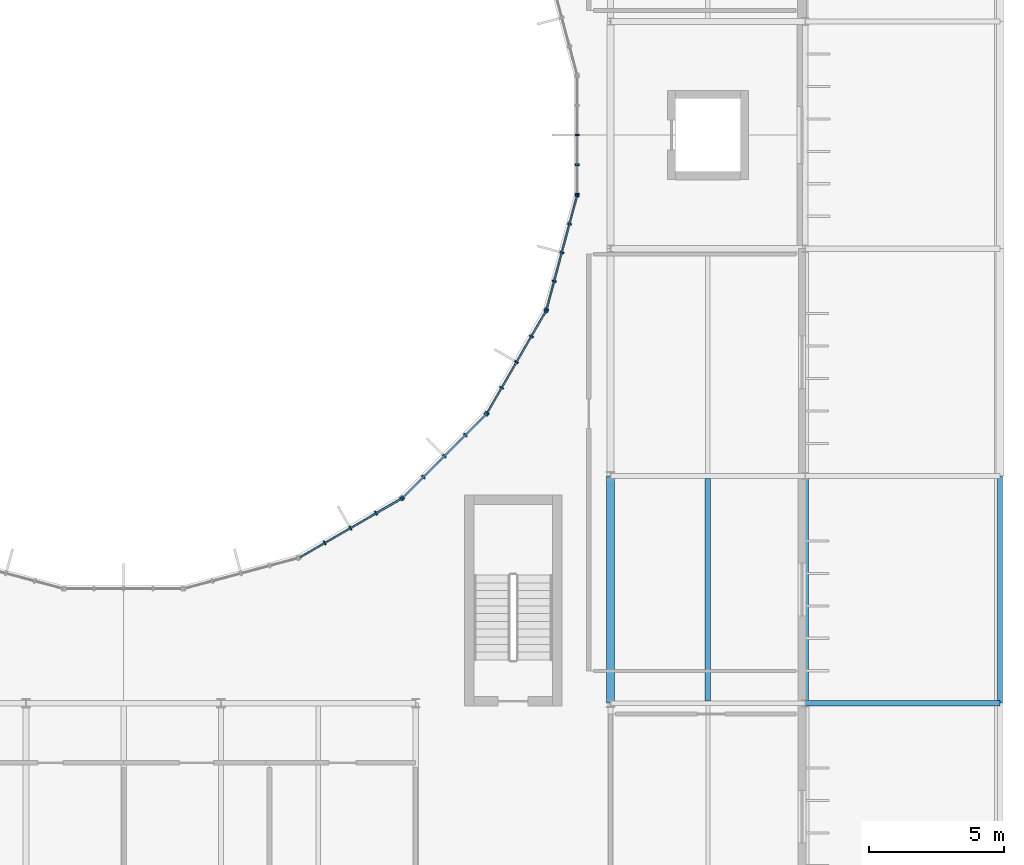
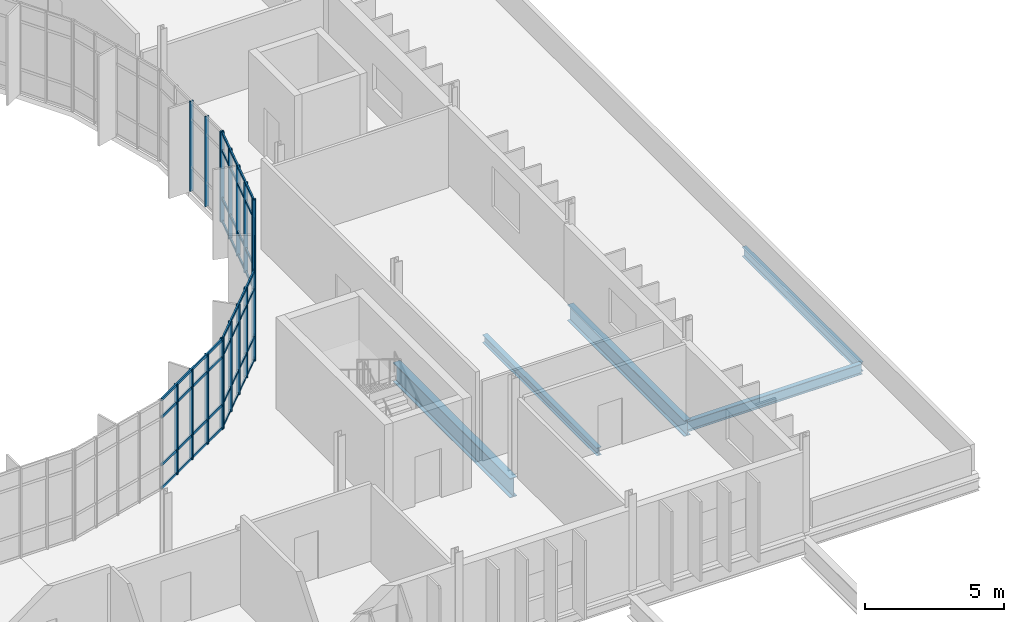
# One storey, part 53 of 99: 38 members, 5 beams, 5 elements without a shape of their own.
"""IFC4 building model written with IfcOpenShell, lengths in metres."""

from ifc_helpers import new_model, si_unit, direction, frame, origin, origin_2d, place, context, subcontext, project, spatial, rectangle, i_section, extrude, material, material_profile, profile_set, type_object, element, aggregate, save


model = new_model("IFC4")

# Units and contexts
model_context = context("Model", 3, precision=1e-05, world=origin(), true_north=direction((0.0, 1.0)))
body_context = subcontext(model_context, "Body", "Model", "MODEL_VIEW")
ifc_project = project(units=[si_unit("LENGTHUNIT", "METRE"), si_unit("AREAUNIT", "SQUARE_METRE"), si_unit("VOLUMEUNIT", "CUBIC_METRE"), si_unit("PLANEANGLEUNIT", "RADIAN"), si_unit("MASSUNIT", "GRAM", prefix="KILO")], contexts=[model_context])

# Site, building, storey
site_placement = place(None, origin())
site = spatial("IfcSite", under=ifc_project, at=site_placement, CompositionType="ELEMENT")
building_placement = place(site_placement, origin())
building = spatial("IfcBuilding", under=site, at=building_placement, Name="Qelthora Terrace Specialist Clinic", CompositionType="ELEMENT")
storey_placement = place(building_placement, frame((0.0, 0.0, 9.0)))
storey = spatial("IfcBuildingStorey", under=building, at=storey_placement, Name="L02", CompositionType="ELEMENT", Elevation=9.0)

# Beams
ifc_material_1 = material(Name="Steel S355", Category="steel")
ifc_material_profile_1 = material_profile(ifc_material_1, i_section(OverallWidth=0.178955078125, OverallDepth=0.409912109375, WebThickness=0.0087890625, FlangeThickness=0.014404296875, FilletRadius=0.011962890625, at=origin_2d()), Name="W410X67")
ifc_profile_set_1 = profile_set([ifc_material_profile_1], Name="Steel S355")
beam_type_1 = type_object("IfcBeamType", Name="BM-W410X67", PredefinedType="BEAM", material=ifc_profile_set_1)
beam_1_placement = place(storey_placement, frame((158.39990234375, 42.0, -0.455078125), z_axis=(0.0, 1.0, 0.0), x_axis=(-1.0, 0.0, 0.0)))
element("IfcBeam", 1, at=beam_1_placement, inside=storey, type_object=beam_type_1, Name="Girder BMY-L02-0910", PredefinedType="BEAM", context=body_context, shape_type="SweptSolid", body=[
    extrude(i_section(OverallWidth=0.178955078125, OverallDepth=0.409912109375, WebThickness=0.0087890625, FlangeThickness=0.014404296875, FilletRadius=0.011962890625, at=origin_2d()), origin(), (0.0, 0.0, 1.0), 8.39990234375),
])
ifc_material_profile_2 = material_profile(ifc_material_1, i_section(OverallWidth=0.256103515625, OverallDepth=0.693115234375, WebThickness=0.014404296875, FlangeThickness=0.023681640625, FilletRadius=0.01806640625, at=origin_2d()), Name="W690X170")
ifc_profile_set_2 = profile_set([ifc_material_profile_2], Name="Steel S355")
beam_type_2 = type_object("IfcBeamType", Name="BM-W690X170", PredefinedType="BEAM", material=ifc_profile_set_2)
beam_2_placement = place(storey_placement, frame((151.199951171875, 42.0, -0.596435546875), z_axis=(0.0, 1.0, 0.0), x_axis=(-1.0, 0.0, 0.0)))
element("IfcBeam", 2, at=beam_2_placement, inside=storey, type_object=beam_type_2, Name="Girder BMY-L02-0903", PredefinedType="BEAM", context=body_context, shape_type="SweptSolid", body=[
    extrude(i_section(OverallWidth=0.256103515625, OverallDepth=0.693115234375, WebThickness=0.014404296875, FlangeThickness=0.023681640625, FilletRadius=0.01806640625, at=origin_2d()), origin(), (0.0, 0.0, 1.0), 8.39990234375),
])
ifc_material_profile_3 = material_profile(ifc_material_1, i_section(OverallWidth=0.2939453125, OverallDepth=0.85107421875, WebThickness=0.01611328125, FlangeThickness=0.02685546875, FilletRadius=0.02001953125, at=origin_2d()), Name="W840X226")
ifc_profile_set_3 = profile_set([ifc_material_profile_3], Name="Steel S355")
beam_type_3 = type_object("IfcBeamType", Name="BM-W840X226", PredefinedType="BEAM", material=ifc_profile_set_3)
beam_3_placement = place(storey_placement, frame((144.0, 42.0, -0.675537109375), z_axis=(0.0, 1.0, 0.0), x_axis=(-1.0, 0.0, 0.0)))
element("IfcBeam", 3, at=beam_3_placement, inside=storey, type_object=beam_type_3, Name="Girder BMY-L02-0891", PredefinedType="BEAM", context=body_context, shape_type="SweptSolid", body=[
    extrude(i_section(OverallWidth=0.2939453125, OverallDepth=0.85107421875, WebThickness=0.01611328125, FlangeThickness=0.02685546875, FilletRadius=0.02001953125, at=origin_2d()), origin(), (0.0, 0.0, 1.0), 8.39990234375),
])

# Curtain wall, members
ifc_material_2 = material(Name="Aluminium anodized bronze", Category="aluminium")
curtain_wall_type = type_object("IfcCurtainWallType", Name="CW-CRTE-UPP", PredefinedType="NOTDEFINED", material=ifc_material_2)
curtain_wall_1_placement = place(storey_placement, origin())
curtain_wall_1 = element("IfcCurtainWall", 4, at=curtain_wall_1_placement, inside=storey, type_object=curtain_wall_type, Name="Curtain wall CW-CE-L02-20", PredefinedType="NOTDEFINED")
ifc_material_profile_4 = material_profile(ifc_material_2, rectangle(XDim=0.06005859375, YDim=0.14990234375, at=origin_2d()), Name="CWM60X150")
ifc_profile_set_4 = profile_set([ifc_material_profile_4], Name="Aluminium anodized bronze")
member_type_1 = type_object("IfcMemberType", Name="CWM-60X150", PredefinedType="MULLION", material=ifc_profile_set_4)
member_1_placement = place(storey_placement, frame((133.438720703125, 47.923095703125, 0.0), z_axis=(0.0, 0.0, 1.0), x_axis=(0.86602538709, 0.500000028915, 0.0)))
member_1 = element("IfcMember", 5, at=member_1_placement, type_object=member_type_1, Name="CW-CE-L02-20 mullion 2", PredefinedType="MULLION", context=body_context, shape_type="SweptSolid", body=[
    extrude(rectangle(XDim=0.06005859375, YDim=0.14990234375, at=origin_2d()), origin(), (0.0, 0.0, 1.0), 3.945068359375),
])
member_2_placement = place(storey_placement, frame((134.38818359375, 48.471435546875, 0.0), z_axis=(0.0, 0.0, 1.0), x_axis=(0.86602538709, 0.500000028915, 0.0)))
member_2 = element("IfcMember", 6, at=member_2_placement, type_object=member_type_1, Name="CW-CE-L02-20 mullion 3", PredefinedType="MULLION", context=body_context, shape_type="SweptSolid", body=[
    extrude(rectangle(XDim=0.06005859375, YDim=0.14990234375, at=origin_2d()), origin(), (0.0, 0.0, 1.0), 3.945068359375),
])
member_3_placement = place(storey_placement, frame((135.337646484375, 49.01953125, 0.0), z_axis=(0.0, 0.0, 1.0), x_axis=(0.86602538709, 0.500000028915, 0.0)))
member_3 = element("IfcMember", 7, at=member_3_placement, type_object=member_type_1, Name="CW-CE-L02-20 mullion 4", PredefinedType="MULLION", context=body_context, shape_type="SweptSolid", body=[
    extrude(rectangle(XDim=0.06005859375, YDim=0.14990234375, at=origin_2d()), origin(), (0.0, 0.0, 1.0), 3.945068359375),
])
member_4_placement = place(storey_placement, frame((136.269775390625, 49.557861328125, 0.0), z_axis=(0.0, 0.0, 1.0), x_axis=(0.86602538709, 0.500000028915, 0.0)))
member_4 = element("IfcMember", 8, at=member_4_placement, type_object=member_type_1, Name="CW-CE-L02-20 mullion 5", PredefinedType="MULLION", context=body_context, shape_type="SweptSolid", body=[
    extrude(rectangle(XDim=0.06005859375, YDim=0.14990234375, at=origin_2d()), origin(), (0.0, 0.0, 1.0), 3.945068359375),
])

curtain_wall_2_placement = place(storey_placement, origin())
curtain_wall_2 = element("IfcCurtainWall", 9, at=curtain_wall_2_placement, inside=storey, type_object=curtain_wall_type, Name="Curtain wall CW-CE-L02-21", PredefinedType="NOTDEFINED")
member_5_placement = place(storey_placement, frame((136.326171875, 49.600830078125, 0.0), z_axis=(0.0, 0.0, 1.0), x_axis=(0.707106781187, 0.707106781187, 0.0)))
member_5 = element("IfcMember", 10, at=member_5_placement, type_object=member_type_1, Name="CW-CE-L02-21 mullion 1", PredefinedType="MULLION", context=body_context, shape_type="SweptSolid", body=[
    extrude(rectangle(XDim=0.06005859375, YDim=0.14990234375, at=origin_2d()), origin(), (0.0, 0.0, 1.0), 3.945068359375),
])
member_6_placement = place(storey_placement, frame((137.08740234375, 50.362060546875, 0.0), z_axis=(0.0, 0.0, 1.0), x_axis=(0.707106781187, 0.707106781187, 0.0)))
member_6 = element("IfcMember", 11, at=member_6_placement, type_object=member_type_1, Name="CW-CE-L02-21 mullion 2", PredefinedType="MULLION", context=body_context, shape_type="SweptSolid", body=[
    extrude(rectangle(XDim=0.06005859375, YDim=0.14990234375, at=origin_2d()), origin(), (0.0, 0.0, 1.0), 3.945068359375),
])
member_7_placement = place(storey_placement, frame((137.862548828125, 51.137451171875, 0.0), z_axis=(0.0, 0.0, 1.0), x_axis=(0.707106781187, 0.707106781187, 0.0)))
member_7 = element("IfcMember", 12, at=member_7_placement, type_object=member_type_1, Name="CW-CE-L02-21 mullion 3", PredefinedType="MULLION", context=body_context, shape_type="SweptSolid", body=[
    extrude(rectangle(XDim=0.06005859375, YDim=0.14990234375, at=origin_2d()), origin(), (0.0, 0.0, 1.0), 3.945068359375),
])
member_8_placement = place(storey_placement, frame((138.637939453125, 51.91259765625, 0.0), z_axis=(0.0, 0.0, 1.0), x_axis=(0.707106781187, 0.707106781187, 0.0)))
member_8 = element("IfcMember", 13, at=member_8_placement, type_object=member_type_1, Name="CW-CE-L02-21 mullion 4", PredefinedType="MULLION", context=body_context, shape_type="SweptSolid", body=[
    extrude(rectangle(XDim=0.06005859375, YDim=0.14990234375, at=origin_2d()), origin(), (0.0, 0.0, 1.0), 3.945068359375),
])
member_9_placement = place(storey_placement, frame((139.399169921875, 52.673828125, 0.0), z_axis=(0.0, 0.0, 1.0), x_axis=(0.707106781187, 0.707106781187, 0.0)))
member_9 = element("IfcMember", 14, at=member_9_placement, type_object=member_type_1, Name="CW-CE-L02-21 mullion 5", PredefinedType="MULLION", context=body_context, shape_type="SweptSolid", body=[
    extrude(rectangle(XDim=0.06005859375, YDim=0.14990234375, at=origin_2d()), origin(), (0.0, 0.0, 1.0), 3.945068359375),
])

curtain_wall_3_placement = place(storey_placement, origin())
curtain_wall_3 = element("IfcCurtainWall", 15, at=curtain_wall_3_placement, inside=storey, type_object=curtain_wall_type, Name="Curtain wall CW-CE-L02-22", PredefinedType="NOTDEFINED")
member_10_placement = place(storey_placement, frame((139.442138671875, 52.730224609375, 0.0), z_axis=(0.0, 0.0, 1.0), x_axis=(0.500000028915, 0.86602538709, 0.0)))
member_10 = element("IfcMember", 16, at=member_10_placement, type_object=member_type_1, Name="CW-CE-L02-22 mullion 1", PredefinedType="MULLION", context=body_context, shape_type="SweptSolid", body=[
    extrude(rectangle(XDim=0.06005859375, YDim=0.14990234375, at=origin_2d()), origin(), (0.0, 0.0, 1.0), 3.945068359375),
])
member_11_placement = place(storey_placement, frame((139.98046875, 53.662353515625, 0.0), z_axis=(0.0, 0.0, 1.0), x_axis=(0.500000028915, 0.86602538709, 0.0)))
member_11 = element("IfcMember", 17, at=member_11_placement, type_object=member_type_1, Name="CW-CE-L02-22 mullion 2", PredefinedType="MULLION", context=body_context, shape_type="SweptSolid", body=[
    extrude(rectangle(XDim=0.06005859375, YDim=0.14990234375, at=origin_2d()), origin(), (0.0, 0.0, 1.0), 3.945068359375),
])
member_12_placement = place(storey_placement, frame((140.528564453125, 54.61181640625, 0.0), z_axis=(0.0, 0.0, 1.0), x_axis=(0.500000028915, 0.86602538709, 0.0)))
member_12 = element("IfcMember", 18, at=member_12_placement, type_object=member_type_1, Name="CW-CE-L02-22 mullion 3", PredefinedType="MULLION", context=body_context, shape_type="SweptSolid", body=[
    extrude(rectangle(XDim=0.06005859375, YDim=0.14990234375, at=origin_2d()), origin(), (0.0, 0.0, 1.0), 3.945068359375),
])
member_13_placement = place(storey_placement, frame((141.076904296875, 55.561279296875, 0.0), z_axis=(0.0, 0.0, 1.0), x_axis=(0.500000028915, 0.86602538709, 0.0)))
member_13 = element("IfcMember", 19, at=member_13_placement, type_object=member_type_1, Name="CW-CE-L02-22 mullion 4", PredefinedType="MULLION", context=body_context, shape_type="SweptSolid", body=[
    extrude(rectangle(XDim=0.06005859375, YDim=0.14990234375, at=origin_2d()), origin(), (0.0, 0.0, 1.0), 3.945068359375),
])
member_14_placement = place(storey_placement, frame((141.614990234375, 56.49365234375, 0.0), z_axis=(0.0, 0.0, 1.0), x_axis=(0.500000028915, 0.86602538709, 0.0)))
member_14 = element("IfcMember", 20, at=member_14_placement, type_object=member_type_1, Name="CW-CE-L02-22 mullion 5", PredefinedType="MULLION", context=body_context, shape_type="SweptSolid", body=[
    extrude(rectangle(XDim=0.06005859375, YDim=0.14990234375, at=origin_2d()), origin(), (0.0, 0.0, 1.0), 3.945068359375),
])

curtain_wall_4_placement = place(storey_placement, origin())
curtain_wall_4 = element("IfcCurtainWall", 21, at=curtain_wall_4_placement, inside=storey, type_object=curtain_wall_type, Name="Curtain wall CW-CE-L02-23", PredefinedType="NOTDEFINED")
member_15_placement = place(storey_placement, frame((141.642333984375, 56.55908203125, 0.0), z_axis=(0.0, 0.0, 1.0), x_axis=(0.258819664824, 0.965925660235, 0.0)))
member_15 = element("IfcMember", 22, at=member_15_placement, type_object=member_type_1, Name="CW-CE-L02-23 mullion 1", PredefinedType="MULLION", context=body_context, shape_type="SweptSolid", body=[
    extrude(rectangle(XDim=0.06005859375, YDim=0.14990234375, at=origin_2d()), origin(), (0.0, 0.0, 1.0), 3.945068359375),
])
member_16_placement = place(storey_placement, frame((141.9208984375, 57.598876953125, 0.0), z_axis=(0.0, 0.0, 1.0), x_axis=(0.258819664824, 0.965925660235, 0.0)))
member_16 = element("IfcMember", 23, at=member_16_placement, type_object=member_type_1, Name="CW-CE-L02-23 mullion 2", PredefinedType="MULLION", context=body_context, shape_type="SweptSolid", body=[
    extrude(rectangle(XDim=0.06005859375, YDim=0.14990234375, at=origin_2d()), origin(), (0.0, 0.0, 1.0), 3.945068359375),
])
member_17_placement = place(storey_placement, frame((142.20458984375, 58.657958984375, 0.0), z_axis=(0.0, 0.0, 1.0), x_axis=(0.258819664824, 0.965925660235, 0.0)))
member_17 = element("IfcMember", 24, at=member_17_placement, type_object=member_type_1, Name="CW-CE-L02-23 mullion 3", PredefinedType="MULLION", context=body_context, shape_type="SweptSolid", body=[
    extrude(rectangle(XDim=0.06005859375, YDim=0.14990234375, at=origin_2d()), origin(), (0.0, 0.0, 1.0), 3.945068359375),
])
member_18_placement = place(storey_placement, frame((142.488525390625, 59.717041015625, 0.0), z_axis=(0.0, 0.0, 1.0), x_axis=(0.258819664824, 0.965925660235, 0.0)))
member_18 = element("IfcMember", 25, at=member_18_placement, type_object=member_type_1, Name="CW-CE-L02-23 mullion 4", PredefinedType="MULLION", context=body_context, shape_type="SweptSolid", body=[
    extrude(rectangle(XDim=0.06005859375, YDim=0.14990234375, at=origin_2d()), origin(), (0.0, 0.0, 1.0), 3.945068359375),
])
member_19_placement = place(storey_placement, frame((142.76708984375, 60.7568359375, 0.0), z_axis=(0.0, 0.0, 1.0), x_axis=(0.258819664824, 0.965925660235, 0.0)))
member_19 = element("IfcMember", 26, at=member_19_placement, type_object=member_type_1, Name="CW-CE-L02-23 mullion 5", PredefinedType="MULLION", context=body_context, shape_type="SweptSolid", body=[
    extrude(rectangle(XDim=0.06005859375, YDim=0.14990234375, at=origin_2d()), origin(), (0.0, 0.0, 1.0), 3.945068359375),
])

curtain_wall_5_placement = place(storey_placement, origin())
curtain_wall_5 = element("IfcCurtainWall", 27, at=curtain_wall_5_placement, inside=storey, type_object=curtain_wall_type, Name="Curtain wall CW-CE-L02-24", PredefinedType="NOTDEFINED")
member_20_placement = place(storey_placement, frame((142.7763671875, 60.8271484375, 0.0), z_axis=(0.0, 0.0, 1.0), x_axis=(0.0, 1.0, 0.0)))
member_20 = element("IfcMember", 28, at=member_20_placement, type_object=member_type_1, Name="CW-CE-L02-24 mullion 1", PredefinedType="MULLION", context=body_context, shape_type="SweptSolid", body=[
    extrude(rectangle(XDim=0.06005859375, YDim=0.14990234375, at=origin_2d()), origin(), (0.0, 0.0, 1.0), 3.945068359375),
])
member_21_placement = place(storey_placement, frame((142.7763671875, 61.903564453125, 0.0), z_axis=(0.0, 0.0, 1.0), x_axis=(0.0, 1.0, 0.0)))
member_21 = element("IfcMember", 29, at=member_21_placement, type_object=member_type_1, Name="CW-CE-L02-24 mullion 2", PredefinedType="MULLION", context=body_context, shape_type="SweptSolid", body=[
    extrude(rectangle(XDim=0.06005859375, YDim=0.14990234375, at=origin_2d()), origin(), (0.0, 0.0, 1.0), 3.945068359375),
])
member_22_placement = place(storey_placement, frame((142.7763671875, 63.0, 0.0), z_axis=(0.0, 0.0, 1.0), x_axis=(0.0, 1.0, 0.0)))
member_22 = element("IfcMember", 30, at=member_22_placement, type_object=member_type_1, Name="CW-CE-L02-24 mullion 3", PredefinedType="MULLION", context=body_context, shape_type="SweptSolid", body=[
    extrude(rectangle(XDim=0.06005859375, YDim=0.14990234375, at=origin_2d()), origin(), (0.0, 0.0, 1.0), 3.945068359375),
])
aggregate(curtain_wall_5, [member_20, member_21, member_22])

# Member
ifc_material_profile_5 = material_profile(ifc_material_2, rectangle(XDim=0.06005859375, YDim=0.110107421875, at=origin_2d()), Name="CWT60X110")
ifc_profile_set_5 = profile_set([ifc_material_profile_5], Name="Aluminium anodized bronze")
member_type_2 = type_object("IfcMemberType", Name="CWT-60X110", PredefinedType="USERDEFINED", material=ifc_profile_set_5)
member_23_placement = place(storey_placement, frame((132.523681640625, 47.39501953125, 0.0400390625), z_axis=(0.866022228109, 0.500005500391, 0.0), x_axis=(-0.500005500391, 0.866022228109, 0.0)))
member_23 = element("IfcMember", 31, at=member_23_placement, type_object=member_type_2, Name="CW-CE-L02-20 transom 1", ObjectType="TRANSOM", PredefinedType="USERDEFINED", context=body_context, shape_type="SweptSolid", body=[
    extrude(rectangle(XDim=0.06005859375, YDim=0.110107421875, at=origin_2d()), origin(), (0.0, 0.0, 1.0), 4.3056640625),
])

member_24_placement = place(storey_placement, frame((132.523681640625, 47.39501953125, 1.050048828125), z_axis=(0.866022228109, 0.500005500391, 0.0), x_axis=(-0.500005500391, 0.866022228109, 0.0)))
member_24 = element("IfcMember", 32, at=member_24_placement, type_object=member_type_2, Name="CW-CE-L02-20 transom 2", ObjectType="TRANSOM", PredefinedType="USERDEFINED", context=body_context, shape_type="SweptSolid", body=[
    extrude(rectangle(XDim=0.06005859375, YDim=0.110107421875, at=origin_2d()), origin(), (0.0, 0.0, 1.0), 4.3056640625),
])

member_25_placement = place(storey_placement, frame((132.523681640625, 47.39501953125, 3.14501953125), z_axis=(0.866022228109, 0.500005500391, 0.0), x_axis=(-0.500005500391, 0.866022228109, 0.0)))
member_25 = element("IfcMember", 33, at=member_25_placement, type_object=member_type_2, Name="CW-CE-L02-20 transom 3", ObjectType="TRANSOM", PredefinedType="USERDEFINED", context=body_context, shape_type="SweptSolid", body=[
    extrude(rectangle(XDim=0.06005859375, YDim=0.110107421875, at=origin_2d()), origin(), (0.0, 0.0, 1.0), 4.3056640625),
])

member_26_placement = place(storey_placement, frame((132.523681640625, 47.39501953125, 3.905029296875), z_axis=(0.866022228109, 0.500005500391, 0.0), x_axis=(-0.500005500391, 0.866022228109, 0.0)))
member_26 = element("IfcMember", 34, at=member_26_placement, type_object=member_type_2, Name="CW-CE-L02-20 transom 4", ObjectType="TRANSOM", PredefinedType="USERDEFINED", context=body_context, shape_type="SweptSolid", body=[
    extrude(rectangle(XDim=0.06005859375, YDim=0.110107421875, at=origin_2d()), origin(), (0.0, 0.0, 1.0), 4.3056640625),
])

aggregate(curtain_wall_1, [member_1, member_2, member_3, member_4, member_23, member_24, member_25, member_26])

member_27_placement = place(storey_placement, frame((136.34033203125, 49.614990234375, 0.0400390625), z_axis=(0.707106781187, 0.707106781187, 0.0), x_axis=(-0.707106781187, 0.707106781187, 0.0)))
member_27 = element("IfcMember", 35, at=member_27_placement, type_object=member_type_2, Name="CW-CE-L02-21 transom 1", ObjectType="TRANSOM", PredefinedType="USERDEFINED", context=body_context, shape_type="SweptSolid", body=[
    extrude(rectangle(XDim=0.06005859375, YDim=0.110107421875, at=origin_2d()), origin(), (0.0, 0.0, 1.0), 4.305908203125),
])

member_28_placement = place(storey_placement, frame((136.34033203125, 49.614990234375, 1.050048828125), z_axis=(0.707106781187, 0.707106781187, 0.0), x_axis=(-0.707106781187, 0.707106781187, 0.0)))
member_28 = element("IfcMember", 36, at=member_28_placement, type_object=member_type_2, Name="CW-CE-L02-21 transom 2", ObjectType="TRANSOM", PredefinedType="USERDEFINED", context=body_context, shape_type="SweptSolid", body=[
    extrude(rectangle(XDim=0.06005859375, YDim=0.110107421875, at=origin_2d()), origin(), (0.0, 0.0, 1.0), 4.305908203125),
])

member_29_placement = place(storey_placement, frame((136.34033203125, 49.614990234375, 3.14501953125), z_axis=(0.707106781187, 0.707106781187, 0.0), x_axis=(-0.707106781187, 0.707106781187, 0.0)))
member_29 = element("IfcMember", 37, at=member_29_placement, type_object=member_type_2, Name="CW-CE-L02-21 transom 3", ObjectType="TRANSOM", PredefinedType="USERDEFINED", context=body_context, shape_type="SweptSolid", body=[
    extrude(rectangle(XDim=0.06005859375, YDim=0.110107421875, at=origin_2d()), origin(), (0.0, 0.0, 1.0), 4.305908203125),
])

member_30_placement = place(storey_placement, frame((136.34033203125, 49.614990234375, 3.905029296875), z_axis=(0.707106781187, 0.707106781187, 0.0), x_axis=(-0.707106781187, 0.707106781187, 0.0)))
member_30 = element("IfcMember", 38, at=member_30_placement, type_object=member_type_2, Name="CW-CE-L02-21 transom 4", ObjectType="TRANSOM", PredefinedType="USERDEFINED", context=body_context, shape_type="SweptSolid", body=[
    extrude(rectangle(XDim=0.06005859375, YDim=0.110107421875, at=origin_2d()), origin(), (0.0, 0.0, 1.0), 4.305908203125),
])

aggregate(curtain_wall_2, [member_5, member_6, member_7, member_8, member_9, member_27, member_28, member_29, member_30])

member_31_placement = place(storey_placement, frame((139.4521484375, 52.74755859375, 0.0400390625), z_axis=(0.500005500391, 0.866022228109, 0.0), x_axis=(-0.866022228109, 0.500005500391, 0.0)))
member_31 = element("IfcMember", 39, at=member_31_placement, type_object=member_type_2, Name="CW-CE-L02-22 transom 1", ObjectType="TRANSOM", PredefinedType="USERDEFINED", context=body_context, shape_type="SweptSolid", body=[
    extrude(rectangle(XDim=0.06005859375, YDim=0.110107421875, at=origin_2d()), origin(), (0.0, 0.0, 1.0), 4.3056640625),
])

member_32_placement = place(storey_placement, frame((139.4521484375, 52.74755859375, 1.050048828125), z_axis=(0.500005500391, 0.866022228109, 0.0), x_axis=(-0.866022228109, 0.500005500391, 0.0)))
member_32 = element("IfcMember", 40, at=member_32_placement, type_object=member_type_2, Name="CW-CE-L02-22 transom 2", ObjectType="TRANSOM", PredefinedType="USERDEFINED", context=body_context, shape_type="SweptSolid", body=[
    extrude(rectangle(XDim=0.06005859375, YDim=0.110107421875, at=origin_2d()), origin(), (0.0, 0.0, 1.0), 4.3056640625),
])

member_33_placement = place(storey_placement, frame((139.4521484375, 52.74755859375, 3.14501953125), z_axis=(0.500005500391, 0.866022228109, 0.0), x_axis=(-0.866022228109, 0.500005500391, 0.0)))
member_33 = element("IfcMember", 41, at=member_33_placement, type_object=member_type_2, Name="CW-CE-L02-22 transom 3", ObjectType="TRANSOM", PredefinedType="USERDEFINED", context=body_context, shape_type="SweptSolid", body=[
    extrude(rectangle(XDim=0.06005859375, YDim=0.110107421875, at=origin_2d()), origin(), (0.0, 0.0, 1.0), 4.3056640625),
])

member_34_placement = place(storey_placement, frame((139.4521484375, 52.74755859375, 3.905029296875), z_axis=(0.500005500391, 0.866022228109, 0.0), x_axis=(-0.866022228109, 0.500005500391, 0.0)))
member_34 = element("IfcMember", 42, at=member_34_placement, type_object=member_type_2, Name="CW-CE-L02-22 transom 4", ObjectType="TRANSOM", PredefinedType="USERDEFINED", context=body_context, shape_type="SweptSolid", body=[
    extrude(rectangle(XDim=0.06005859375, YDim=0.110107421875, at=origin_2d()), origin(), (0.0, 0.0, 1.0), 4.3056640625),
])

aggregate(curtain_wall_3, [member_10, member_11, member_12, member_13, member_14, member_31, member_32, member_33, member_34])

member_35_placement = place(storey_placement, frame((141.6474609375, 56.57861328125, 0.0400390625), z_axis=(0.25879182601, 0.965933119212, 0.0), x_axis=(-0.965933119212, 0.25879182601, 0.0)))
member_35 = element("IfcMember", 43, at=member_35_placement, type_object=member_type_2, Name="CW-CE-L02-23 transom 1", ObjectType="TRANSOM", PredefinedType="USERDEFINED", context=body_context, shape_type="SweptSolid", body=[
    extrude(rectangle(XDim=0.06005859375, YDim=0.110107421875, at=origin_2d()), origin(), (0.0, 0.0, 1.0), 4.3056640625),
])

member_36_placement = place(storey_placement, frame((141.6474609375, 56.57861328125, 1.050048828125), z_axis=(0.25879182601, 0.965933119212, 0.0), x_axis=(-0.965933119212, 0.25879182601, 0.0)))
member_36 = element("IfcMember", 44, at=member_36_placement, type_object=member_type_2, Name="CW-CE-L02-23 transom 2", ObjectType="TRANSOM", PredefinedType="USERDEFINED", context=body_context, shape_type="SweptSolid", body=[
    extrude(rectangle(XDim=0.06005859375, YDim=0.110107421875, at=origin_2d()), origin(), (0.0, 0.0, 1.0), 4.3056640625),
])

member_37_placement = place(storey_placement, frame((141.6474609375, 56.57861328125, 3.14501953125), z_axis=(0.25879182601, 0.965933119212, 0.0), x_axis=(-0.965933119212, 0.25879182601, 0.0)))
member_37 = element("IfcMember", 45, at=member_37_placement, type_object=member_type_2, Name="CW-CE-L02-23 transom 3", ObjectType="TRANSOM", PredefinedType="USERDEFINED", context=body_context, shape_type="SweptSolid", body=[
    extrude(rectangle(XDim=0.06005859375, YDim=0.110107421875, at=origin_2d()), origin(), (0.0, 0.0, 1.0), 4.3056640625),
])

member_38_placement = place(storey_placement, frame((141.6474609375, 56.57861328125, 3.905029296875), z_axis=(0.25879182601, 0.965933119212, 0.0), x_axis=(-0.965933119212, 0.25879182601, 0.0)))
member_38 = element("IfcMember", 46, at=member_38_placement, type_object=member_type_2, Name="CW-CE-L02-23 transom 4", ObjectType="TRANSOM", PredefinedType="USERDEFINED", context=body_context, shape_type="SweptSolid", body=[
    extrude(rectangle(XDim=0.06005859375, YDim=0.110107421875, at=origin_2d()), origin(), (0.0, 0.0, 1.0), 4.3056640625),
])

aggregate(curtain_wall_4, [member_15, member_16, member_17, member_18, member_19, member_35, member_36, member_37, member_38])

# Beams
ifc_material_profile_6 = material_profile(ifc_material_1, i_section(OverallWidth=0.202880859375, OverallDepth=0.346923828125, WebThickness=0.0078125, FlangeThickness=0.013427734375, FilletRadius=0.010986328125, at=origin_2d()), Name="W360X64")
ifc_profile_set_6 = profile_set([ifc_material_profile_6], Name="Steel S355")
beam_type_4 = type_object("IfcBeamType", Name="JST-W360X64", PredefinedType="JOIST", material=ifc_profile_set_6)
beam_4_placement = place(storey_placement, frame((147.60009765625, 42.090087890625, -0.423583984375), z_axis=(0.0, 1.0, 0.0), x_axis=(-1.0, 0.0, 0.0)))
element("IfcBeam", 47, at=beam_4_placement, inside=storey, type_object=beam_type_4, Name="Composite floor joist JST-L02-0211", PredefinedType="JOIST", context=body_context, shape_type="SweptSolid", body=[
    extrude(i_section(OverallWidth=0.202880859375, OverallDepth=0.346923828125, WebThickness=0.0078125, FlangeThickness=0.013427734375, FilletRadius=0.010986328125, at=origin_2d()), origin(), (0.0, 0.0, 1.0), 8.21435546875),
])
ifc_material_profile_7 = material_profile(ifc_material_1, i_section(OverallWidth=0.19091796875, OverallDepth=0.4599609375, WebThickness=0.010009765625, FlangeThickness=0.01611328125, FilletRadius=0.012939453125, at=origin_2d()), Name="W460X82")
ifc_profile_set_7 = profile_set([ifc_material_profile_7], Name="Steel S355")
beam_type_5 = type_object("IfcBeamType", Name="SPD-W460X82", PredefinedType="SPANDREL", material=ifc_profile_set_7)
beam_5_placement = place(storey_placement, frame((151.199951171875, 42.0, -0.47998046875), z_axis=(1.0, 0.0, 0.0), x_axis=(0.0, 1.0, 0.0)))
element("IfcBeam", 48, at=beam_5_placement, inside=storey, type_object=beam_type_5, Name="Girder BMX-L02-0626", PredefinedType="SPANDREL", context=body_context, shape_type="SweptSolid", body=[
    extrude(i_section(OverallWidth=0.19091796875, OverallDepth=0.4599609375, WebThickness=0.010009765625, FlangeThickness=0.01611328125, FilletRadius=0.012939453125, at=origin_2d()), origin(), (0.0, 0.0, 1.0), 7.199951171875),
])

save(model, "model.ifc")
